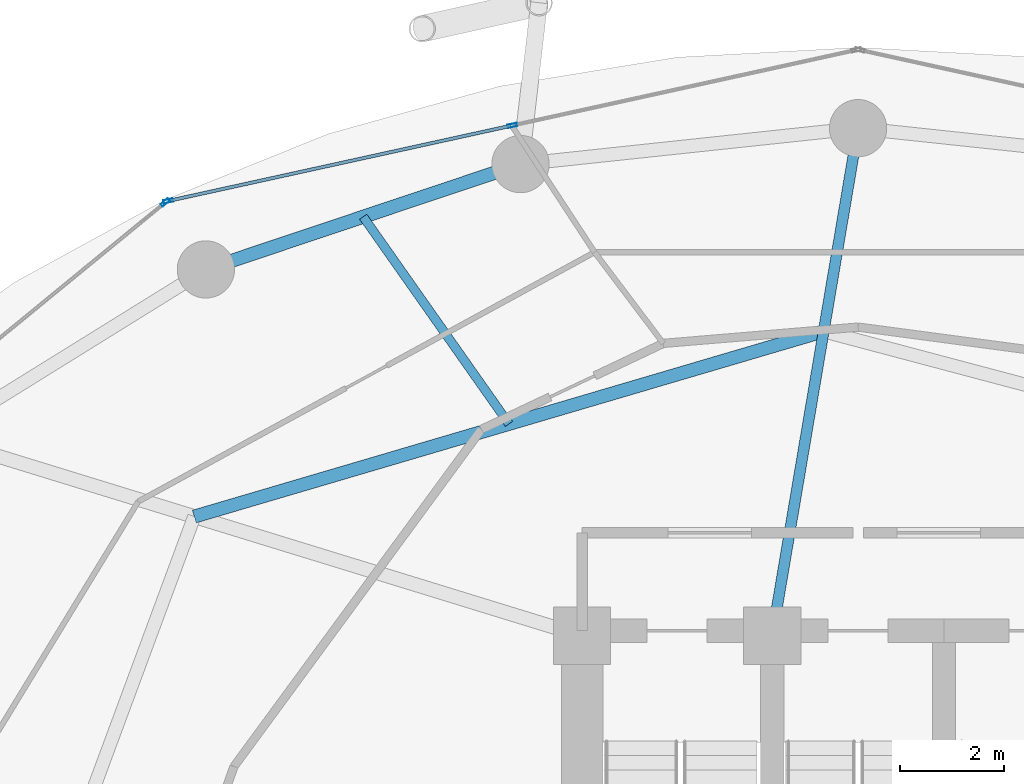
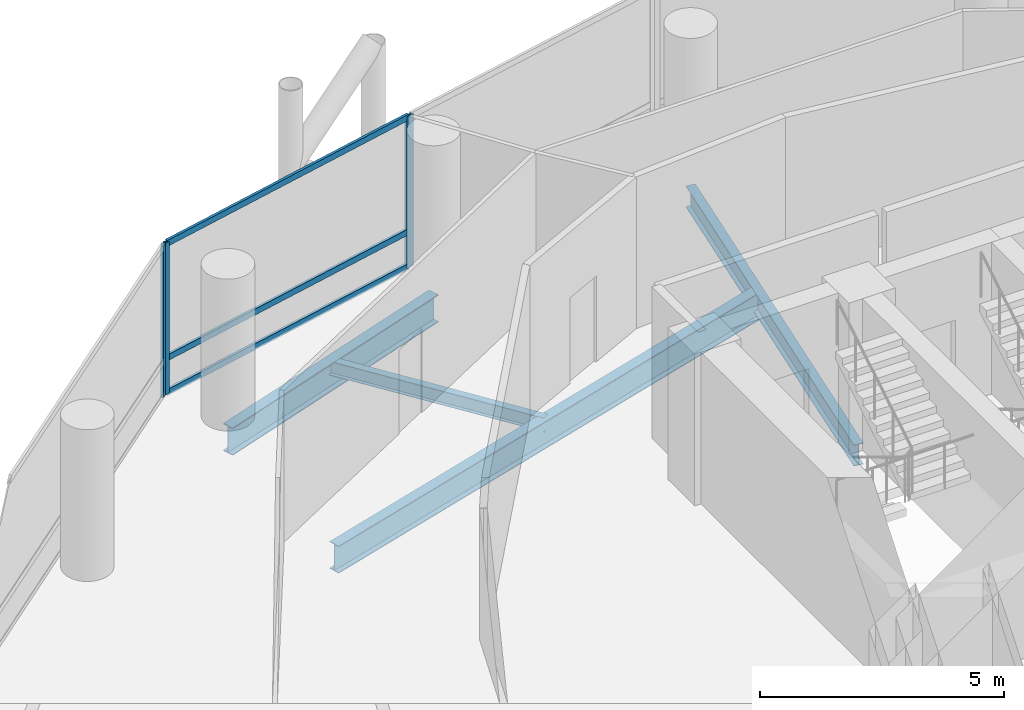
# One storey, part 15 of 25: 6 members, 4 beams, 2 elements without a shape of their own.
"""IFC4 building model written with IfcOpenShell, lengths in metres."""

import ifcopenshell
import ifcopenshell.guid

model = None  # the IFC model being written
_history = None  # IfcOwnerHistory: only IFC2X3 demands one
_inside = {}  # id of a spatial element -> (the spatial element, [elements in it])
_under = {}  # id of a project, library or spatial element -> (it, [spatial elements below it])
_declared = {}  # id of a project -> (the project, [libraries it declares])
_typed = {}  # id of a type object -> (the type object, [elements of that type])
_made_of = {}  # id of a material, layer set ... -> (it, [elements and type objects made of it])


def new_model(schema):
    """Start an empty IFC model of exactly this schema.

    Asked for "IFC4X3", IfcOpenShell would pick the latest addendum, in which some entities
    have other attributes; the version numbers below select the first issue.
    IFC2X3 requires an IfcOwnerHistory on every rooted entity: one is made here for all.
    """
    global model, _history
    if schema == "IFC4X3":
        model = ifcopenshell.file(schema_version=(4, 3, 0, 0))
    else:
        model = ifcopenshell.file(schema=schema)
    _inside.clear()
    _under.clear()
    _declared.clear()
    _typed.clear()
    _made_of.clear()
    _history = None
    if model.schema == "IFC2X3":
        org = make("IfcOrganization", Name="unknown")
        user = make(
            "IfcPersonAndOrganization",
            ThePerson=make("IfcPerson", FamilyName="unknown"),
            TheOrganization=org,
        )
        app = make(
            "IfcApplication",
            ApplicationDeveloper=org,
            Version="unknown",
            ApplicationFullName="unknown",
            ApplicationIdentifier="unknown",
        )
        _history = make(
            "IfcOwnerHistory",
            OwningUser=user,
            OwningApplication=app,
            ChangeAction="ADDED",
            CreationDate=0,
        )
    return model


def make(cls, **values):
    """One entity of the class cls with the attributes given. An attribute that is None is left unset."""
    return model.create_entity(
        cls, **{name: value for name, value in values.items() if value is not None}
    )


def rooted(cls, **values):
    """An entity with a GlobalId (a new one), such as an element, a storey or a relation."""
    return make(cls, GlobalId=ifcopenshell.guid.new(), OwnerHistory=_history, **values)


def si_unit(unit_type, name, prefix=None):
    """IfcSIUnit, for example si_unit("LENGTHUNIT", "METRE", prefix="MILLI")."""
    return make("IfcSIUnit", UnitType=unit_type, Prefix=prefix, Name=name)


def assignment(units):
    """IfcUnitAssignment: the units of a project."""
    return None if units is None else make("IfcUnitAssignment", Units=units)


def point(xyz):
    """IfcCartesianPoint."""
    return None if xyz is None else make("IfcCartesianPoint", Coordinates=xyz)


def direction(xyz):
    """IfcDirection."""
    return None if xyz is None else make("IfcDirection", DirectionRatios=xyz)


def frame(location, z_axis=None, x_axis=None):
    """IfcAxis2Placement3D, a coordinate frame: its origin and axes. An axis left out is left unset."""
    return make(
        "IfcAxis2Placement3D",
        Location=point(location),
        Axis=direction(z_axis),
        RefDirection=direction(x_axis),
    )


def frame_2d(location, x_axis=None):
    """IfcAxis2Placement2D, a coordinate frame in the plane: its origin and x axis."""
    return make(
        "IfcAxis2Placement2D", Location=point(location), RefDirection=direction(x_axis)
    )


def origin():
    """The frame at (0, 0, 0) with its axes left unset."""
    return frame((0.0, 0.0, 0.0))


def origin_2d():
    """The frame at (0, 0) in the plane with its x axis left unset."""
    return frame_2d((0.0, 0.0))


def place(relative_to, where):
    """IfcLocalPlacement: puts the frame where relative to a parent placement (None: the world)."""
    return make(
        "IfcLocalPlacement", PlacementRelTo=relative_to, RelativePlacement=where
    )


def context(
    kind, dimensions, precision=None, world=None, true_north=None, identifier=None
):
    """IfcGeometricRepresentationContext, for example the 3D "Model" context."""
    return make(
        "IfcGeometricRepresentationContext",
        ContextIdentifier=identifier,
        ContextType=kind,
        CoordinateSpaceDimension=dimensions,
        Precision=precision,
        WorldCoordinateSystem=world,
        TrueNorth=true_north,
    )


def subcontext(parent, identifier, kind, view, scale=None):
    """IfcGeometricRepresentationSubContext, for example "Body" below "Model"."""
    return make(
        "IfcGeometricRepresentationSubContext",
        ContextIdentifier=identifier,
        ContextType=kind,
        ParentContext=parent,
        TargetScale=scale,
        TargetView=view,
    )


def project(units=None, contexts=None):
    """IfcProject with its units and contexts."""
    return rooted(
        "IfcProject",
        Name="project",
        RepresentationContexts=contexts,
        UnitsInContext=assignment(units),
    )


def spatial(cls, under=None, at=None, **own):
    """A site, building, storey or space (cls), placed at a placement, below another one or the project."""
    s = rooted(cls, ObjectPlacement=at, **own)
    if under is not None:
        _under.setdefault(under.id(), (under, []))[1].append(s)
    return s


def profile(cls, at=None, kind="AREA", **sizes):
    """A parametric profile (cls). Its sizes go by their IFC names, for example OverallWidth=200.0."""
    return make(cls, ProfileType=kind, Position=at, **sizes)


def hollow_rectangle(**sizes):
    """IfcRectangleHollowProfileDef."""
    return profile("IfcRectangleHollowProfileDef", **sizes)


def i_section(**sizes):
    """IfcIShapeProfileDef."""
    return profile("IfcIShapeProfileDef", **sizes)


def extrude(swept, where, along, depth):
    """IfcExtrudedAreaSolid: the profile swept, set in the frame where, extruded along a direction by depth."""
    return make(
        "IfcExtrudedAreaSolid",
        SweptArea=swept,
        Position=where,
        ExtrudedDirection=direction(along),
        Depth=depth,
    )


def shape(context_of_items, identifier, shape_type, items):
    """IfcShapeRepresentation: the items that make up one representation, for example the "Body"."""
    return make(
        "IfcShapeRepresentation",
        ContextOfItems=context_of_items,
        RepresentationIdentifier=identifier,
        RepresentationType=shape_type,
        Items=items,
    )


def material(Name=None, Category=None):
    """IfcMaterial."""
    return make("IfcMaterial", Name=Name, Category=Category)


def layer(
    of_material, thickness, ventilated=None, Name=None, Category=None, Priority=None
):
    """IfcMaterialLayer: one layer of a wall or slab, of a material (None: an air gap)."""
    return make(
        "IfcMaterialLayer",
        Material=of_material,
        LayerThickness=thickness,
        IsVentilated=ventilated,
        Name=Name,
        Category=Category,
        Priority=Priority,
    )


def layer_set(layers, Name=None):
    """IfcMaterialLayerSet."""
    return make("IfcMaterialLayerSet", MaterialLayers=layers, LayerSetName=Name)


def material_profile(
    of_material, cross_section, Name=None, Category=None, Priority=None
):
    """IfcMaterialProfile: a cross section and its material."""
    return make(
        "IfcMaterialProfile",
        Name=Name,
        Material=of_material,
        Profile=cross_section,
        Priority=Priority,
        Category=Category,
    )


def profile_set(profiles, Name=None, composite=None):
    """IfcMaterialProfileSet."""
    return make(
        "IfcMaterialProfileSet",
        Name=Name,
        MaterialProfiles=profiles,
        CompositeProfile=composite,
    )


def made_of(thing, what):
    """Note that an element or type object is made of a material, layer set ...; save() writes the relation."""
    if what is not None:
        _made_of.setdefault(what.id(), (what, []))[1].append(thing)
    return thing


def type_object(cls, material=None, **own):
    """A type object (cls), such as IfcWallType, which elements share."""
    return made_of(rooted(cls, **own), material)


def element(
    cls,
    number,
    at=None,
    inside=None,
    cuts=None,
    type_object=None,
    material=None,
    context=None,
    identifier="Body",
    shape_type=None,
    held_by="IfcProductDefinitionShape",
    body=None,
    shapes=None,
    **own,
):
    """One element of the class cls, such as IfcWall. Its Tag is "e" and its number.

    at: its placement. inside: the storey or other place that contains it. cuts: it is an
    opening in that element (IfcRelVoidsElement). A single representation is given by context,
    identifier, shape_type and body (its items); several are given by shapes. held_by: the class
    of the entity that holds the representations. save() writes the other relations.
    """
    e = rooted(cls, Tag="e%d" % number, ObjectPlacement=at, **own)
    if body is not None:
        shapes = [shape(context, identifier, shape_type, body)]
    if shapes is not None:
        e.Representation = make(held_by, Representations=shapes)
    if inside is not None:
        _inside.setdefault(inside.id(), (inside, []))[1].append(e)
    if cuts is not None:
        rooted(
            "IfcRelVoidsElement", RelatingBuildingElement=cuts, RelatedOpeningElement=e
        )
    if type_object is not None:
        _typed.setdefault(type_object.id(), (type_object, []))[1].append(e)
    return made_of(e, material)


def aggregate(whole, parts):
    """IfcRelAggregates: a whole, such as a stair, and the parts it consists of."""
    return rooted("IfcRelAggregates", RelatingObject=whole, RelatedObjects=parts)


def save(model, path):
    """Write the relations noted so far, then the file.

    IfcRelAggregates (storeys below a building ...), IfcRelContainedInSpatialStructure (elements
    in a storey), IfcRelDefinesByType, IfcRelAssociatesMaterial and IfcRelDeclares: one each for
    every whole, place, type object, material and project.
    """
    for whole, parts in _under.values():
        aggregate(whole, parts)
    for where, things in _inside.values():
        rooted(
            "IfcRelContainedInSpatialStructure",
            RelatedElements=things,
            RelatingStructure=where,
        )
    for kind, things in _typed.values():
        rooted("IfcRelDefinesByType", RelatedObjects=things, RelatingType=kind)
    for what, things in _made_of.values():
        rooted("IfcRelAssociatesMaterial", RelatedObjects=things, RelatingMaterial=what)
    for by, libraries in _declared.values():
        rooted("IfcRelDeclares", RelatingContext=by, RelatedDefinitions=libraries)
    model.write(path)


model = new_model("IFC4")

# Units and contexts
model_context = context("Model", 3, precision=1e-05, world=origin(), true_north=direction((0.0, 1.0)))
body_context = subcontext(model_context, "Body", "Model", "MODEL_VIEW")
ifc_project = project(units=[si_unit("LENGTHUNIT", "METRE"), si_unit("AREAUNIT", "SQUARE_METRE"), si_unit("VOLUMEUNIT", "CUBIC_METRE"), si_unit("PLANEANGLEUNIT", "RADIAN"), si_unit("MASSUNIT", "GRAM", prefix="KILO")], contexts=[model_context])

# Site, building, storey
site_placement = place(None, origin())
site = spatial("IfcSite", under=ifc_project, at=site_placement, CompositionType="ELEMENT")
building_placement = place(site_placement, origin())
building = spatial("IfcBuilding", under=site, at=building_placement, Name="Nuhasar Tower", CompositionType="ELEMENT")
storey_placement = place(building_placement, frame((0.0, 0.0, 57.449951171875)))
storey = spatial("IfcBuildingStorey", under=building, at=storey_placement, Name="L13", CompositionType="ELEMENT", Elevation=57.449951171875)

# Beams
ifc_material_1 = material(Name="Steel S355", Category="steel")
ifc_material_profile_1 = material_profile(ifc_material_1, i_section(OverallWidth=0.25390625, OverallDepth=0.68408203125, WebThickness=0.012451171875, FlangeThickness=0.018798828125, at=origin_2d()), Name="W27X94")
ifc_profile_set_1 = profile_set([ifc_material_profile_1], Name="Steel S355")
beam_type_1 = type_object("IfcBeamType", Name="BM-INRING-W27X94", PredefinedType="BEAM", material=ifc_profile_set_1)
beam_1_placement = place(storey_placement, frame((38.340087890625, 43.14990234375, -0.592041015625), z_axis=(-0.959290190666, -0.28242225495, 0.0), x_axis=(0.28242225495, -0.959290190666, 0.0)))
element("IfcBeam", 1, at=beam_1_placement, inside=storey, type_object=beam_type_1, Name="L13 Inner Header Beam 06", PredefinedType="BEAM", context=body_context, shape_type="SweptSolid", body=[
    extrude(i_section(OverallWidth=0.25390625, OverallDepth=0.68408203125, WebThickness=0.012451171875, FlangeThickness=0.018798828125, at=origin_2d()), origin(), (0.0, 0.0, 1.0), 12.60107421875),
])
ifc_material_profile_2 = material_profile(ifc_material_1, i_section(OverallWidth=0.1708984375, OverallDepth=0.35205078125, WebThickness=0.0068359375, FlangeThickness=0.009765625, at=origin_2d()), Name="W14X30")
ifc_profile_set_2 = profile_set([ifc_material_profile_2], Name="Steel S355")
beam_type_2 = type_object("IfcBeamType", Name="BM-JST-W14X30", PredefinedType="JOIST", material=ifc_profile_set_2)
beam_2_placement = place(storey_placement, frame((32.2958984375, 41.3701171875, -0.426025390625), z_axis=(-0.575461088141, 0.817829160666, 0.0), x_axis=(-0.817829160666, -0.575461088141, 0.0)))
element("IfcBeam", 2, at=beam_2_placement, inside=storey, type_object=beam_type_2, Name="L13 Secondary Floor Joist 06", PredefinedType="JOIST", context=body_context, shape_type="SweptSolid", body=[
    extrude(i_section(OverallWidth=0.1708984375, OverallDepth=0.35205078125, WebThickness=0.0068359375, FlangeThickness=0.009765625, at=origin_2d()), origin(), (0.0, 0.0, 1.0), 4.865234375),
])
ifc_material_profile_3 = material_profile(ifc_material_1, i_section(OverallWidth=0.208984375, OverallDepth=0.532958984375, WebThickness=0.01025390625, FlangeThickness=0.015625, at=origin_2d()), Name="W21X62")
ifc_profile_set_3 = profile_set([ifc_material_profile_3], Name="Steel S355")
beam_type_3 = type_object("IfcBeamType", Name="BM-RAD-W21X62", PredefinedType="BEAM", material=ifc_profile_set_3)
beam_3_placement = place(storey_placement, frame((37.35009765625, 37.300048828125, -0.515869140625), z_axis=(0.166848703013, 0.98598251014, 0.0), x_axis=(-0.98598251014, 0.166848703013, 0.0)))
element("IfcBeam", 3, at=beam_3_placement, inside=storey, type_object=beam_type_3, Name="L13 Radial Floor Girder 06", PredefinedType="BEAM", context=body_context, shape_type="SweptSolid", body=[
    extrude(i_section(OverallWidth=0.208984375, OverallDepth=0.532958984375, WebThickness=0.01025390625, FlangeThickness=0.015625, at=origin_2d()), origin(), (0.0, 0.0, 1.0), 9.888671875),
])
ifc_material_profile_4 = material_profile(ifc_material_1, i_section(OverallWidth=0.256103515625, OverallDepth=0.693115234375, WebThickness=0.014404296875, FlangeThickness=0.023681640625, at=origin_2d()), Name="W27X114")
ifc_profile_set_4 = profile_set([ifc_material_profile_4], Name="Steel S355")
beam_type_4 = type_object("IfcBeamType", Name="BM-RING-W27X114", PredefinedType="SPANDREL", material=ifc_profile_set_4)
beam_4_placement = place(storey_placement, frame((32.51708984375, 46.360107421875, -0.595947265625), z_axis=(-0.948249435708, -0.317526388949, 0.0), x_axis=(0.317526388949, -0.948249435708, 0.0)))
element("IfcBeam", 4, at=beam_4_placement, inside=storey, type_object=beam_type_4, Name="L13 Perimeter Ring Spandrel 08", PredefinedType="SPANDREL", context=body_context, shape_type="SweptSolid", body=[
    extrude(i_section(OverallWidth=0.256103515625, OverallDepth=0.693115234375, WebThickness=0.014404296875, FlangeThickness=0.023681640625, at=origin_2d()), origin(), (0.0, 0.0, 1.0), 6.371826171875),
])

# Curtain wall, members
ifc_material_2 = material(Name="Aluminium 6063-T6", Category="aluminium")
ifc_layer = layer(ifc_material_2, 0.199951171875)
ifc_layer_set = layer_set([ifc_layer], Name="Aluminium 6063-T6")
curtain_wall_type = type_object("IfcCurtainWallType", Name="CW-Z1-OFF", PredefinedType="NOTDEFINED", material=ifc_layer_set)
curtain_wall_1_placement = place(storey_placement, origin())
curtain_wall_1 = element("IfcCurtainWall", 5, at=curtain_wall_1_placement, inside=storey, type_object=curtain_wall_type, Name="L13 Unitised Curtain Wall 04", PredefinedType="NOTDEFINED")
ifc_material_profile_5 = material_profile(ifc_material_2, hollow_rectangle(XDim=0.06494140625, YDim=0.179931640625, WallThickness=0.0048828125, at=origin_2d()), Name="CWM-2")
ifc_profile_set_5 = profile_set([ifc_material_profile_5], Name="Aluminium 6063-T6")
member_type_1 = type_object("IfcMemberType", Name="CW-MUL-S2", PredefinedType="MULLION", material=ifc_profile_set_5)
member_1_placement = place(storey_placement, frame((32.360107421875, 47.1025390625, 0.0), z_axis=(0.0, 0.0, 1.0), x_axis=(0.214398737637, -0.976746221544, 0.0)))
member_1 = element("IfcMember", 6, at=member_1_placement, type_object=member_type_1, Name="CW-Z1 mullion 2", PredefinedType="MULLION", context=body_context, shape_type="SweptSolid", body=[
    extrude(hollow_rectangle(XDim=0.06494140625, YDim=0.179931640625, WallThickness=0.0048828125, at=origin_2d()), origin(), (0.0, 0.0, 1.0), 3.800048828125),
])
member_2_placement = place(storey_placement, frame((25.751708984375, 45.65185546875, 0.0), z_axis=(0.0, 0.0, 1.0), x_axis=(0.214398737637, -0.976746221544, 0.0)))
member_2 = element("IfcMember", 7, at=member_2_placement, type_object=member_type_1, Name="CW-Z1 mullion 3", PredefinedType="MULLION", context=body_context, shape_type="SweptSolid", body=[
    extrude(hollow_rectangle(XDim=0.06494140625, YDim=0.179931640625, WallThickness=0.0048828125, at=origin_2d()), origin(), (0.0, 0.0, 1.0), 3.800048828125),
])

# Curtain wall, member
curtain_wall_2_placement = place(storey_placement, origin())
curtain_wall_2 = element("IfcCurtainWall", 8, at=curtain_wall_2_placement, inside=storey, type_object=curtain_wall_type, Name="L13 Unitised Curtain Wall 05", PredefinedType="NOTDEFINED")
member_3_placement = place(storey_placement, frame((25.69482421875, 45.62451171875, 0.0), z_axis=(0.0, 0.0, 1.0), x_axis=(0.633744593376, -0.773542364946, 0.0)))
member_3 = element("IfcMember", 9, at=member_3_placement, type_object=member_type_1, Name="CW-Z1 mullion 1", PredefinedType="MULLION", context=body_context, shape_type="SweptSolid", body=[
    extrude(hollow_rectangle(XDim=0.06494140625, YDim=0.179931640625, WallThickness=0.0048828125, at=origin_2d()), origin(), (0.0, 0.0, 1.0), 3.800048828125),
])
aggregate(curtain_wall_2, [member_3])

# Member
ifc_material_profile_6 = material_profile(ifc_material_2, hollow_rectangle(XDim=0.06494140625, YDim=0.14990234375, WallThickness=0.00439453125, at=origin_2d()), Name="CWT-2")
ifc_profile_set_6 = profile_set([ifc_material_profile_6], Name="Aluminium 6063-T6")
member_type_2 = type_object("IfcMemberType", Name="CW-TRN-S2", PredefinedType="USERDEFINED", material=ifc_profile_set_6)
member_4_placement = place(storey_placement, frame((32.328369140625, 47.095458984375, 0.032470703125), z_axis=(-0.976749553792, -0.214383556196, 0.0), x_axis=(0.214383556196, -0.976749553792, 0.0)))
member_4 = element("IfcMember", 10, at=member_4_placement, type_object=member_type_2, Name="CW-Z1 transom 2.1", ObjectType="TRANSOM", PredefinedType="USERDEFINED", context=body_context, shape_type="SweptSolid", body=[
    extrude(hollow_rectangle(XDim=0.06494140625, YDim=0.14990234375, WallThickness=0.00439453125, at=origin_2d()), origin(), (0.0, 0.0, 1.0), 6.70068359375),
])

member_5_placement = place(storey_placement, frame((32.328369140625, 47.095458984375, 0.900146484375), z_axis=(-0.976749553792, -0.214383556196, 0.0), x_axis=(0.214383556196, -0.976749553792, 0.0)))
member_5 = element("IfcMember", 11, at=member_5_placement, type_object=member_type_2, Name="CW-Z1 transom 2.2", ObjectType="TRANSOM", PredefinedType="USERDEFINED", context=body_context, shape_type="SweptSolid", body=[
    extrude(hollow_rectangle(XDim=0.06494140625, YDim=0.14990234375, WallThickness=0.00439453125, at=origin_2d()), origin(), (0.0, 0.0, 1.0), 6.70068359375),
])

member_6_placement = place(storey_placement, frame((32.328369140625, 47.095458984375, 3.767578125), z_axis=(-0.976749553792, -0.214383556196, 0.0), x_axis=(0.214383556196, -0.976749553792, 0.0)))
member_6 = element("IfcMember", 12, at=member_6_placement, type_object=member_type_2, Name="CW-Z1 transom 2.3", ObjectType="TRANSOM", PredefinedType="USERDEFINED", context=body_context, shape_type="SweptSolid", body=[
    extrude(hollow_rectangle(XDim=0.06494140625, YDim=0.14990234375, WallThickness=0.00439453125, at=origin_2d()), origin(), (0.0, 0.0, 1.0), 6.70068359375),
])

aggregate(curtain_wall_1, [member_1, member_2, member_4, member_5, member_6])

save(model, "model.ifc")
